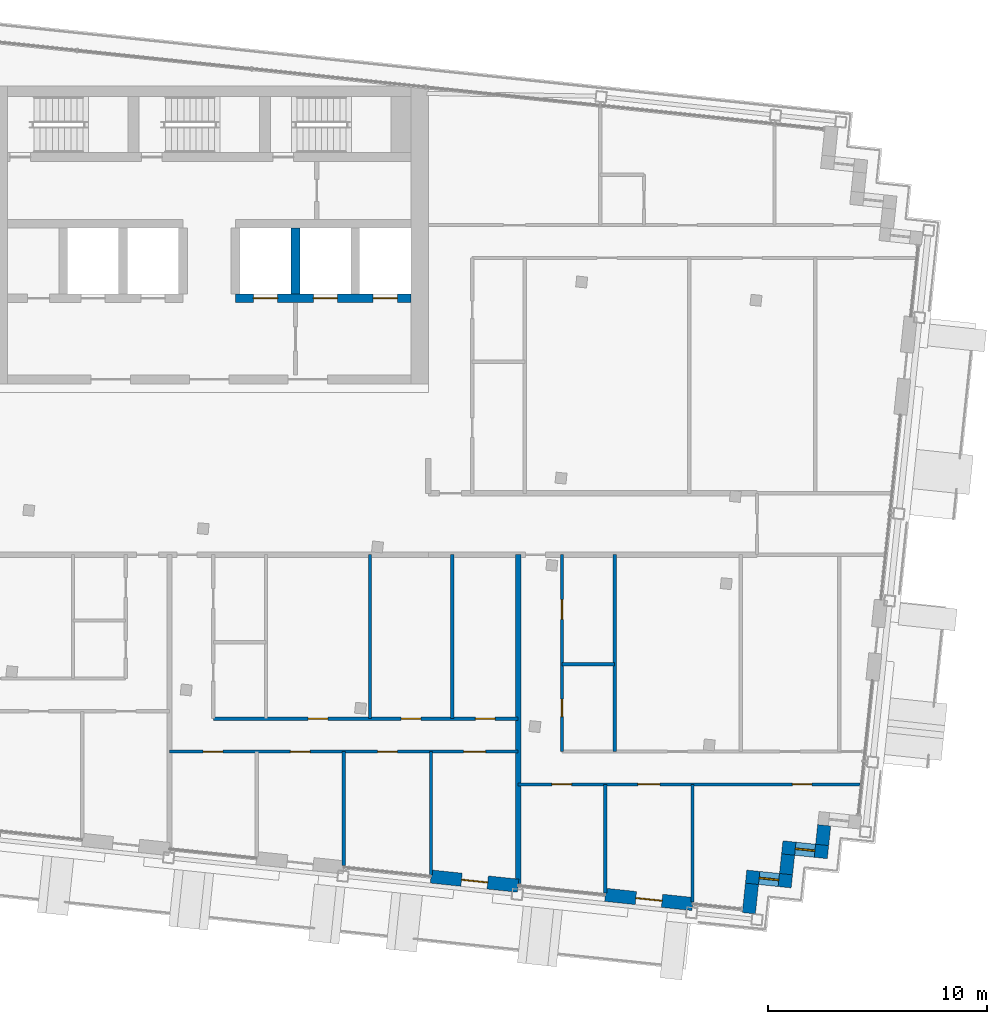
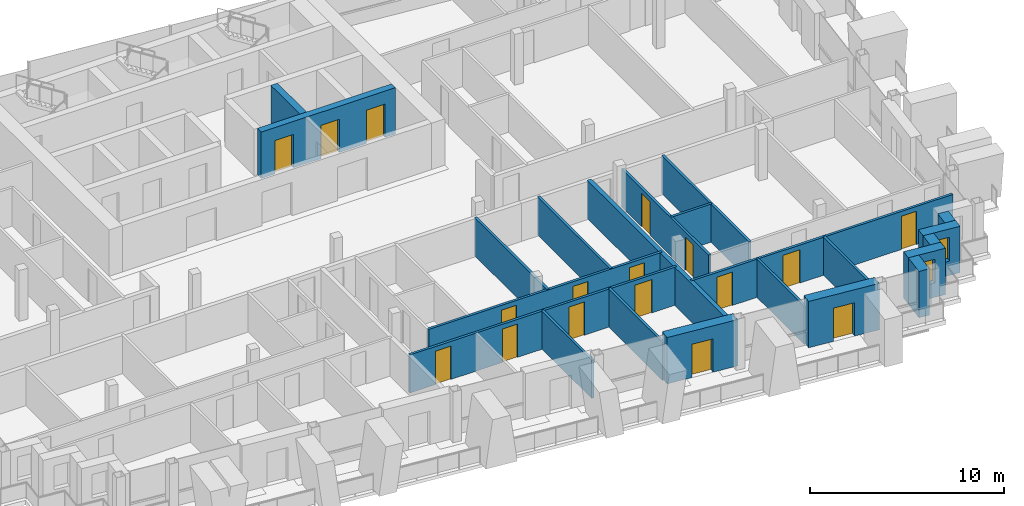
# One storey, part 10 of 17: 22 walls, 17 doors, 2 windows, 19 openings.
"""IFC4 building model written with IfcOpenShell, lengths in metres."""

from ifc_helpers import new_model, si_unit, direction, frame, frame_2d, origin, place, context, subcontext, project, spatial, rectangle, extrude, material, layer, layer_set, type_object, element, fill, save


model = new_model("IFC4")

# Units and contexts
model_context = context("Model", 3, precision=1e-05, world=origin(), true_north=direction((0.0, 1.0)))
body_context = subcontext(model_context, "Body", "Model", "MODEL_VIEW")
ifc_project = project(units=[si_unit("LENGTHUNIT", "METRE"), si_unit("AREAUNIT", "SQUARE_METRE"), si_unit("VOLUMEUNIT", "CUBIC_METRE"), si_unit("PLANEANGLEUNIT", "RADIAN"), si_unit("MASSUNIT", "GRAM", prefix="KILO")], contexts=[model_context])

# Site, building, storey
site_placement = place(None, origin())
site = spatial("IfcSite", under=ifc_project, at=site_placement, CompositionType="ELEMENT")
building_placement = place(site_placement, origin())
building = spatial("IfcBuilding", under=site, at=building_placement, Name="Vidyagriha Tower", CompositionType="ELEMENT")
storey_placement = place(building_placement, frame((0.0, 0.0, 265.89990234375)))
storey = spatial("IfcBuildingStorey", under=building, at=storey_placement, Name="L69", CompositionType="ELEMENT", Elevation=265.89990234375)

# Wall, opening, door
ifc_material_1 = material(Name="Precast concrete C40/50 with brick facing", Category="concrete")
ifc_layer_1 = layer(ifc_material_1, 0.60009765625)
ifc_layer_set_1 = layer_set([ifc_layer_1], Name="Precast concrete C40/50 with brick facing")
wall_type_1 = type_object("IfcWallType", Name="Brick-faced precast wall 600", PredefinedType="STANDARD", material=ifc_layer_set_1)
wall_1_placement = place(storey_placement, frame((10.1201171875, -16.085205078125, 0.0), z_axis=(0.0, 0.0, 1.0), x_axis=(0.994519156568, -0.104554517933, 0.0)))
wall_1 = element("IfcWall", 1, at=wall_1_placement, inside=storey, type_object=wall_type_1, Name="Brick door bay wall L69 R21.9", PredefinedType="STANDARD", context=body_context, shape_type="SweptSolid", body=[
    extrude(rectangle(XDim=4.0, YDim=0.60009765625, at=frame_2d((2.0, 0.0))), origin(), (0.0, 0.0, 1.0), 2.920166015625),
])
opening_1_placement = place(wall_1_placement, frame((1.39990234375, 0.0, 0.0)))
opening_1 = element("IfcOpeningElement", 2, at=opening_1_placement, cuts=wall_1, Name="Opening D69-62", PredefinedType="OPENING", context=body_context, shape_type="SweptSolid", body=[
    extrude(rectangle(XDim=1.199951171875, YDim=2.10009765625, at=frame_2d((0.60009765625, 1.050048828125))), frame((0.0, 0.31005859375, 0.0), z_axis=(0.0, -1.0, 0.0), x_axis=(1.0, 0.0, 0.0)), (0.0, 0.0, 1.0), 0.6201171875),
])
ifc_material_2 = material(Name="Aluminium framed glazed sliding door", Category="aluminium")
door_type_1 = type_object("IfcDoorType", Name="Balcony sliding door 1200x2100", OperationType="NOTDEFINED", PredefinedType="DOOR", material=ifc_material_2)
door_1_placement = place(opening_1_placement, origin())
door_1 = element("IfcDoor", 3, at=door_1_placement, inside=storey, type_object=door_type_1, Name="Door D69-62", OperationType="SLIDING_TO_LEFT", OverallHeight=2.10009765625, OverallWidth=1.199951171875, PredefinedType="DOOR", context=body_context, shape_type="SweptSolid", body=[
    extrude(rectangle(XDim=1.199951171875, YDim=2.10009765625, at=frame_2d((0.60009765625, 1.050048828125))), frame((0.0, 0.02490234375, 0.0), z_axis=(0.0, -1.0, 0.0), x_axis=(1.0, 0.0, 0.0)), (0.0, 0.0, 1.0), 0.050048828125),
])
fill(opening_1, door_1)

wall_2_placement = place(storey_placement, frame((18.076171875, -16.92138671875, 0.0), z_axis=(0.0, 0.0, 1.0), x_axis=(0.994519156568, -0.104554517933, 0.0)))
wall_2 = element("IfcWall", 4, at=wall_2_placement, inside=storey, type_object=wall_type_1, Name="Brick door bay wall L69 R21.11", PredefinedType="STANDARD", context=body_context, shape_type="SweptSolid", body=[
    extrude(rectangle(XDim=4.0, YDim=0.60009765625, at=frame_2d((2.0, 0.0))), origin(), (0.0, 0.0, 1.0), 2.920166015625),
])
opening_2_placement = place(wall_2_placement, frame((1.39990234375, 0.0, 0.0)))
opening_2 = element("IfcOpeningElement", 5, at=opening_2_placement, cuts=wall_2, Name="Opening D69-63", PredefinedType="OPENING", context=body_context, shape_type="SweptSolid", body=[
    extrude(rectangle(XDim=1.199951171875, YDim=2.10009765625, at=frame_2d((0.60009765625, 1.050048828125))), frame((0.0, 0.31005859375, 0.0), z_axis=(0.0, -1.0, 0.0), x_axis=(1.0, 0.0, 0.0)), (0.0, 0.0, 1.0), 0.6201171875),
])
door_2_placement = place(opening_2_placement, origin())
door_2 = element("IfcDoor", 6, at=door_2_placement, inside=storey, type_object=door_type_1, Name="Door D69-63", OperationType="SLIDING_TO_LEFT", OverallHeight=2.10009765625, OverallWidth=1.199951171875, PredefinedType="DOOR", context=body_context, shape_type="SweptSolid", body=[
    extrude(rectangle(XDim=1.199951171875, YDim=2.10009765625, at=frame_2d((0.60009765625, 1.050048828125))), frame((0.0, 0.02490234375, 0.0), z_axis=(0.0, -1.0, 0.0), x_axis=(1.0, 0.0, 0.0)), (0.0, 0.0, 1.0), 0.050048828125),
])
fill(opening_2, door_2)

# Wall
wall_3_placement = place(storey_placement, frame((24.62451171875, -17.760498046875, 0.0), z_axis=(0.0, 0.0, 1.0), x_axis=(0.104355269718, 0.994540083497, 0.0)))
element("IfcWall", 7, at=wall_3_placement, inside=storey, type_object=wall_type_1, Name="Stepped corner wall L69 R22", PredefinedType="STANDARD", context=body_context, shape_type="SweptSolid", body=[
    extrude(rectangle(XDim=1.349853515625, YDim=0.60009765625, at=frame_2d((0.6748046875, 0.0))), origin(), (0.0, 0.0, 1.0), 2.920166015625),
])

# Wall, opening, window
wall_4_placement = place(storey_placement, frame((24.49853515625, -16.088134765625, 0.0), z_axis=(0.0, 0.0, 1.0), x_axis=(0.994522640205, -0.104521376379, 0.0)))
wall_4 = element("IfcWall", 8, at=wall_4_placement, inside=storey, type_object=wall_type_1, Name="Stepped corner wall L69 R23", PredefinedType="STANDARD", context=body_context, shape_type="SweptSolid", body=[
    extrude(rectangle(XDim=2.099853515625, YDim=0.60009765625, at=frame_2d((1.0498046875, 0.0))), origin(), (0.0, 0.0, 1.0), 2.920166015625),
])
opening_3_placement = place(wall_4_placement, frame((0.60009765625, 0.0, 0.89990234375)))
opening_3 = element("IfcOpeningElement", 9, at=opening_3_placement, cuts=wall_4, Name="Opening WN1", PredefinedType="OPENING", context=body_context, shape_type="SweptSolid", body=[
    extrude(rectangle(XDim=0.89990234375, YDim=1.5, at=frame_2d((0.449951171875, 0.75))), frame((0.0, 0.31005859375, 0.0), z_axis=(0.0, -1.0, 0.0), x_axis=(1.0, 0.0, 0.0)), (0.0, 0.0, 1.0), 0.6201171875),
])
ifc_material_3 = material(Name="Aluminium and glass window", Category="aluminium")
window_type = type_object("IfcWindowType", Name="Reveal window 900x1500", PartitioningType="NOTDEFINED", PredefinedType="WINDOW", material=ifc_material_3)
window_1_placement = place(opening_3_placement, origin())
window_1 = element("IfcWindow", 10, at=window_1_placement, inside=storey, type_object=window_type, Name="Reveal window L69 R23", OverallHeight=1.5, OverallWidth=0.89990234375, PartitioningType="SINGLE_PANEL", PredefinedType="WINDOW", context=body_context, shape_type="SweptSolid", body=[
    extrude(rectangle(XDim=0.89990234375, YDim=1.5, at=frame_2d((0.449951171875, 0.75))), frame((0.0, 0.030029296875, 0.0), z_axis=(0.0, -1.0, 0.0), x_axis=(1.0, 0.0, 0.0)), (0.0, 0.0, 1.0), 0.06005859375),
])
fill(opening_3, window_1)

# Wall
wall_5_placement = place(storey_placement, frame((26.320068359375, -15.97802734375, 0.0), z_axis=(0.0, 0.0, 1.0), x_axis=(0.104444712852, 0.994530694326, 0.0)))
element("IfcWall", 11, at=wall_5_placement, inside=storey, type_object=wall_type_1, Name="Stepped corner wall L69 R24", PredefinedType="STANDARD", context=body_context, shape_type="SweptSolid", body=[
    extrude(rectangle(XDim=0.89990234375, YDim=0.60009765625, at=frame_2d((0.449951171875, 0.0))), origin(), (0.0, 0.0, 1.0), 2.920166015625),
])

# Wall, opening, window
wall_6_placement = place(storey_placement, frame((26.147216796875, -14.753173828125, 0.0), z_axis=(0.0, 0.0, 1.0), x_axis=(0.994522640205, -0.104521376379, 0.0)))
wall_6 = element("IfcWall", 12, at=wall_6_placement, inside=storey, type_object=wall_type_1, Name="Stepped corner wall L69 R25", PredefinedType="STANDARD", context=body_context, shape_type="SweptSolid", body=[
    extrude(rectangle(XDim=2.099853515625, YDim=0.60009765625, at=frame_2d((1.0498046875, 0.0))), origin(), (0.0, 0.0, 1.0), 2.920166015625),
])
opening_4_placement = place(wall_6_placement, frame((0.599853515625, 0.0, 0.89990234375)))
opening_4 = element("IfcOpeningElement", 13, at=opening_4_placement, cuts=wall_6, Name="Opening WN1", PredefinedType="OPENING", context=body_context, shape_type="SweptSolid", body=[
    extrude(rectangle(XDim=0.89990234375, YDim=1.5, at=frame_2d((0.449951171875, 0.75))), frame((0.0, 0.31005859375, 0.0), z_axis=(0.0, -1.0, 0.0), x_axis=(1.0, 0.0, 0.0)), (0.0, 0.0, 1.0), 0.6201171875),
])
window_2_placement = place(opening_4_placement, origin())
window_2 = element("IfcWindow", 14, at=window_2_placement, inside=storey, type_object=window_type, Name="Reveal window L69 R25", OverallHeight=1.5, OverallWidth=0.89990234375, PartitioningType="SINGLE_PANEL", PredefinedType="WINDOW", context=body_context, shape_type="SweptSolid", body=[
    extrude(rectangle(XDim=0.89990234375, YDim=1.5, at=frame_2d((0.449951171875, 0.75))), frame((0.0, 0.030029296875, 0.0), z_axis=(0.0, -1.0, 0.0), x_axis=(1.0, 0.0, 0.0)), (0.0, 0.0, 1.0), 0.06005859375),
])
fill(opening_4, window_2)

# Wall
wall_7_placement = place(storey_placement, frame((27.968505859375, -14.64306640625, 0.0), z_axis=(0.0, 0.0, 1.0), x_axis=(0.104416541099, 0.994533652495, 0.0)))
element("IfcWall", 15, at=wall_7_placement, inside=storey, type_object=wall_type_1, Name="Stepped corner wall L69 R26", PredefinedType="STANDARD", context=body_context, shape_type="SweptSolid", body=[
    extrude(rectangle(XDim=0.900146484375, YDim=0.60009765625, at=frame_2d((0.4501953125, 0.0))), origin(), (0.0, 0.0, 1.0), 2.920166015625),
])

# Wall, openings, doors
ifc_material_4 = material(Name="Concrete C60/75", Category="concrete")
ifc_layer_2 = layer(ifc_material_4, 0.39990234375)
ifc_layer_set_2 = layer_set([ifc_layer_2], Name="Concrete C60/75")
wall_type_2 = type_object("IfcWallType", Name="Core shear wall 400 mm", PredefinedType="SHEAR", material=ifc_layer_set_2)
wall_8_placement = place(storey_placement, frame((1.199951171875, 10.300048828125, 0.0)))
wall_8 = element("IfcWall", 16, at=wall_8_placement, inside=storey, type_object=wall_type_2, Name="Core row N front wall", PredefinedType="SHEAR", context=body_context, shape_type="SweptSolid", body=[
    extrude(rectangle(XDim=8.0, YDim=0.39990234375, at=frame_2d((4.0, 0.0))), origin(), (0.0, 0.0, 1.0), 2.920166015625),
])
opening_5_placement = place(wall_8_placement, frame((0.816650390625, 0.0, 0.0)))
opening_5 = element("IfcOpeningElement", 17, at=opening_5_placement, cuts=wall_8, Name="Opening LD69-03", PredefinedType="OPENING", context=body_context, shape_type="SweptSolid", body=[
    extrude(rectangle(XDim=1.10009765625, YDim=2.10009765625, at=frame_2d((0.550048828125, 1.050048828125))), frame((0.0, 0.2099609375, 0.0), z_axis=(0.0, -1.0, 0.0), x_axis=(1.0, 0.0, 0.0)), (0.0, 0.0, 1.0), 0.419921875),
])
opening_6_placement = place(wall_8_placement, frame((3.550048828125, 0.0, 0.0)))
opening_6 = element("IfcOpeningElement", 18, at=opening_6_placement, cuts=wall_8, Name="Opening LD69-04", PredefinedType="OPENING", context=body_context, shape_type="SweptSolid", body=[
    extrude(rectangle(XDim=1.10009765625, YDim=2.10009765625, at=frame_2d((0.550048828125, 1.050048828125))), frame((0.0, 0.2099609375, 0.0), z_axis=(0.0, -1.0, 0.0), x_axis=(1.0, 0.0, 0.0)), (0.0, 0.0, 1.0), 0.419921875),
])
opening_7_placement = place(wall_8_placement, frame((6.283203125, 0.0, 0.0)))
opening_7 = element("IfcOpeningElement", 19, at=opening_7_placement, cuts=wall_8, Name="Opening LD69-05", PredefinedType="OPENING", context=body_context, shape_type="SweptSolid", body=[
    extrude(rectangle(XDim=1.10009765625, YDim=2.10009765625, at=frame_2d((0.550048828125, 1.050048828125))), frame((0.0, 0.2099609375, 0.0), z_axis=(0.0, -1.0, 0.0), x_axis=(1.0, 0.0, 0.0)), (0.0, 0.0, 1.0), 0.419921875),
])
ifc_material_5 = material(Name="Stainless steel sliding door panel", Category="steel")
door_type_2 = type_object("IfcDoorType", Name="Lift landing door 1100 x 2100 mm EI 90", OperationType="NOTDEFINED", PredefinedType="DOOR", material=ifc_material_5)
door_3_placement = place(opening_5_placement, origin())
door_3 = element("IfcDoor", 20, at=door_3_placement, inside=storey, type_object=door_type_2, Name="Landing door HR3 L69", OperationType="SLIDING_TO_LEFT", OverallHeight=2.10009765625, OverallWidth=1.10009765625, PredefinedType="DOOR", context=body_context, shape_type="SweptSolid", body=[
    extrude(rectangle(XDim=1.10009765625, YDim=2.10009765625, at=frame_2d((0.550048828125, 1.050048828125))), frame((0.0, 0.02490234375, 0.0), z_axis=(0.0, -1.0, 0.0), x_axis=(1.0, 0.0, 0.0)), (0.0, 0.0, 1.0), 0.050048828125),
])
fill(opening_5, door_3)
door_4_placement = place(opening_6_placement, origin())
door_4 = element("IfcDoor", 21, at=door_4_placement, inside=storey, type_object=door_type_2, Name="Landing door FF1 L69", OperationType="SLIDING_TO_LEFT", OverallHeight=2.10009765625, OverallWidth=1.10009765625, PredefinedType="DOOR", context=body_context, shape_type="SweptSolid", body=[
    extrude(rectangle(XDim=1.10009765625, YDim=2.10009765625, at=frame_2d((0.550048828125, 1.050048828125))), frame((0.0, 0.02490234375, 0.0), z_axis=(0.0, -1.0, 0.0), x_axis=(1.0, 0.0, 0.0)), (0.0, 0.0, 1.0), 0.050048828125),
])
fill(opening_6, door_4)
door_5_placement = place(opening_7_placement, origin())
door_5 = element("IfcDoor", 22, at=door_5_placement, inside=storey, type_object=door_type_2, Name="Landing door FF2 L69", OperationType="SLIDING_TO_LEFT", OverallHeight=2.10009765625, OverallWidth=1.10009765625, PredefinedType="DOOR", context=body_context, shape_type="SweptSolid", body=[
    extrude(rectangle(XDim=1.10009765625, YDim=2.10009765625, at=frame_2d((0.550048828125, 1.050048828125))), frame((0.0, 0.02490234375, 0.0), z_axis=(0.0, -1.0, 0.0), x_axis=(1.0, 0.0, 0.0)), (0.0, 0.0, 1.0), 0.050048828125),
])
fill(opening_7, door_5)

# Walls
wall_9_placement = place(storey_placement, frame((3.933349609375, 10.5, 0.0), z_axis=(0.0, 0.0, 1.0), x_axis=(0.0, 1.0, 0.0)))
element("IfcWall", 23, at=wall_9_placement, inside=storey, type_object=wall_type_2, Name="Core bay wall N5", PredefinedType="SHEAR", context=body_context, shape_type="SweptSolid", body=[
    extrude(rectangle(XDim=3.0, YDim=0.39990234375, at=frame_2d((1.5, 0.0))), origin(), (0.0, 0.0, 1.0), 2.920166015625),
])
ifc_material_6 = material(Name="Fired clay brick masonry", Category="masonry")
ifc_layer_3 = layer(ifc_material_6, 0.25)
ifc_layer_set_3 = layer_set([ifc_layer_3], Name="Fired clay brick masonry")
wall_type_3 = type_object("IfcWallType", Name="Fired clay brick demising wall 250", PredefinedType="PARTITIONING", material=ifc_layer_set_3)
wall_10_placement = place(storey_placement, frame((14.097900390625, -1.39990234375, 0.0), z_axis=(0.0, 0.0, 1.0), x_axis=(0.0, -1.0, 0.0)))
element("IfcWall", 24, at=wall_10_placement, inside=storey, type_object=wall_type_3, Name="Wall all-L69-w060", PredefinedType="PARTITIONING", context=body_context, shape_type="SweptSolid", body=[
    extrude(rectangle(XDim=15.012939453125, YDim=0.25, at=frame_2d((7.50634765625, 0.0))), origin(), (0.0, 0.0, 1.0), 2.400146484375),
])
ifc_material_7 = material(Name="Gypsum board partition")
ifc_layer_4 = layer(ifc_material_7, 0.14990234375)
ifc_layer_set_4 = layer_set([ifc_layer_4], Name="Gypsum board partition")
wall_type_4 = type_object("IfcWallType", Name="Gypsum board partition 150", PredefinedType="PARTITIONING", material=ifc_layer_set_4)
for number, where, z_axis, x_axis, name in (
    (25, (7.3359375, -1.39990234375, 0.0), (0.0, 0.0, 1.0), (0.0, -1.0, 0.0), "Wall all-L69-w026"),
    (26, (11.0859375, -1.39990234375, 0.0), (0.0, 0.0, 1.0), (0.0, -1.0, 0.0), "Wall all-L69-w027"),
):
    element("IfcWall", number, at=place(storey_placement, frame(where, z_axis=z_axis, x_axis=x_axis)), inside=storey, type_object=wall_type_4, Name=name, PredefinedType="PARTITIONING", context=body_context, shape_type="SweptSolid", body=[
        extrude(rectangle(XDim=7.483642578125, YDim=0.14990234375, at=frame_2d((3.74169921875, 0.0))), origin(), (0.0, 0.0, 1.0), 2.400146484375),
    ])

# Wall, openings, doors
wall_11_placement = place(storey_placement, frame((0.18603515625, -8.883544921875, 0.0)))
wall_11 = element("IfcWall", 27, at=wall_11_placement, inside=storey, type_object=wall_type_4, Name="Wall all-L69-w028", PredefinedType="PARTITIONING", context=body_context, shape_type="SweptSolid", body=[
    extrude(rectangle(XDim=13.911865234375, YDim=0.14990234375, at=frame_2d((6.9560546875, 0.0))), origin(), (0.0, 0.0, 1.0), 2.400146484375),
])
opening_8_placement = place(wall_11_placement, frame((4.324951171875, 0.0, 0.0)))
opening_8 = element("IfcOpeningElement", 28, at=opening_8_placement, cuts=wall_11, Name="Opening D69-22", PredefinedType="OPENING", context=body_context, shape_type="SweptSolid", body=[
    extrude(rectangle(XDim=0.89990234375, YDim=2.10009765625, at=frame_2d((0.449951171875, 1.050048828125))), frame((0.0, 0.0849609375, 0.0), z_axis=(0.0, -1.0, 0.0), x_axis=(1.0, 0.0, 0.0)), (0.0, 0.0, 1.0), 0.169921875),
])
opening_9_placement = place(wall_11_placement, frame((8.574951171875, 0.0, 0.0)))
opening_9 = element("IfcOpeningElement", 29, at=opening_9_placement, cuts=wall_11, Name="Opening D69-23", PredefinedType="OPENING", context=body_context, shape_type="SweptSolid", body=[
    extrude(rectangle(XDim=0.89990234375, YDim=2.10009765625, at=frame_2d((0.449951171875, 1.050048828125))), frame((0.0, 0.0849609375, 0.0), z_axis=(0.0, -1.0, 0.0), x_axis=(1.0, 0.0, 0.0)), (0.0, 0.0, 1.0), 0.169921875),
])
opening_10_placement = place(wall_11_placement, frame((11.9560546875, 0.0, 0.0)))
opening_10 = element("IfcOpeningElement", 30, at=opening_10_placement, cuts=wall_11, Name="Opening D69-24", PredefinedType="OPENING", context=body_context, shape_type="SweptSolid", body=[
    extrude(rectangle(XDim=0.89990234375, YDim=2.10009765625, at=frame_2d((0.449951171875, 1.050048828125))), frame((0.0, 0.0849609375, 0.0), z_axis=(0.0, -1.0, 0.0), x_axis=(1.0, 0.0, 0.0)), (0.0, 0.0, 1.0), 0.169921875),
])
ifc_material_8 = material(Name="Timber door leaf", Category="wood")
door_type_3 = type_object("IfcDoorType", Name="Room door 900x2100", OperationType="NOTDEFINED", PredefinedType="DOOR", material=ifc_material_8)
door_6_placement = place(opening_8_placement, origin())
door_6 = element("IfcDoor", 31, at=door_6_placement, inside=storey, type_object=door_type_3, Name="Door D69-22", OperationType="SINGLE_SWING_RIGHT", OverallHeight=2.10009765625, OverallWidth=0.89990234375, PredefinedType="DOOR", context=body_context, shape_type="SweptSolid", body=[
    extrude(rectangle(XDim=0.89990234375, YDim=2.10009765625, at=frame_2d((0.449951171875, 1.050048828125))), frame((0.0, 0.02490234375, 0.0), z_axis=(0.0, -1.0, 0.0), x_axis=(1.0, 0.0, 0.0)), (0.0, 0.0, 1.0), 0.050048828125),
])
fill(opening_8, door_6)
door_7_placement = place(opening_9_placement, origin())
door_7 = element("IfcDoor", 32, at=door_7_placement, inside=storey, type_object=door_type_3, Name="Door D69-23", OperationType="SINGLE_SWING_RIGHT", OverallHeight=2.10009765625, OverallWidth=0.89990234375, PredefinedType="DOOR", context=body_context, shape_type="SweptSolid", body=[
    extrude(rectangle(XDim=0.89990234375, YDim=2.10009765625, at=frame_2d((0.449951171875, 1.050048828125))), frame((0.0, 0.02490234375, 0.0), z_axis=(0.0, -1.0, 0.0), x_axis=(1.0, 0.0, 0.0)), (0.0, 0.0, 1.0), 0.050048828125),
])
fill(opening_9, door_7)
door_8_placement = place(opening_10_placement, origin())
door_8 = element("IfcDoor", 33, at=door_8_placement, inside=storey, type_object=door_type_3, Name="Door D69-24", OperationType="SINGLE_SWING_RIGHT", OverallHeight=2.10009765625, OverallWidth=0.89990234375, PredefinedType="DOOR", context=body_context, shape_type="SweptSolid", body=[
    extrude(rectangle(XDim=0.89990234375, YDim=2.10009765625, at=frame_2d((0.449951171875, 1.050048828125))), frame((0.0, 0.02490234375, 0.0), z_axis=(0.0, -1.0, 0.0), x_axis=(1.0, 0.0, 0.0)), (0.0, 0.0, 1.0), 0.050048828125),
])
fill(opening_10, door_8)

wall_12_placement = place(storey_placement, frame((14.097900390625, -10.383544921875, 0.0), z_axis=(0.0, 0.0, 1.0), x_axis=(-1.0, 0.0, 0.0)))
wall_12 = element("IfcWall", 34, at=wall_12_placement, inside=storey, type_object=wall_type_4, Name="Wall all-L69-w032", PredefinedType="PARTITIONING", context=body_context, shape_type="SweptSolid", body=[
    extrude(rectangle(XDim=15.911865234375, YDim=0.14990234375, at=frame_2d((7.9560546875, 0.0))), origin(), (0.0, 0.0, 1.0), 2.400146484375),
])
opening_11_placement = place(wall_12_placement, frame((13.47314453125, 0.0, 0.0)))
opening_11 = element("IfcOpeningElement", 35, at=opening_11_placement, cuts=wall_12, Name="Opening D69-25", PredefinedType="OPENING", context=body_context, shape_type="SweptSolid", body=[
    extrude(rectangle(XDim=0.89990234375, YDim=2.10009765625, at=frame_2d((0.449951171875, 1.050048828125))), frame((0.0, 0.0849609375, 0.0), z_axis=(0.0, -1.0, 0.0), x_axis=(1.0, 0.0, 0.0)), (0.0, 0.0, 1.0), 0.169921875),
])
opening_12_placement = place(wall_12_placement, frame((9.4951171875, 0.0, 0.0)))
opening_12 = element("IfcOpeningElement", 36, at=opening_12_placement, cuts=wall_12, Name="Opening D69-26", PredefinedType="OPENING", context=body_context, shape_type="SweptSolid", body=[
    extrude(rectangle(XDim=0.89990234375, YDim=2.10009765625, at=frame_2d((0.449951171875, 1.050048828125))), frame((0.0, 0.0849609375, 0.0), z_axis=(0.0, -1.0, 0.0), x_axis=(1.0, 0.0, 0.0)), (0.0, 0.0, 1.0), 0.169921875),
])
opening_13_placement = place(wall_12_placement, frame((5.51708984375, 0.0, 0.0)))
opening_13 = element("IfcOpeningElement", 37, at=opening_13_placement, cuts=wall_12, Name="Opening D69-27", PredefinedType="OPENING", context=body_context, shape_type="SweptSolid", body=[
    extrude(rectangle(XDim=0.89990234375, YDim=2.10009765625, at=frame_2d((0.449951171875, 1.050048828125))), frame((0.0, 0.0849609375, 0.0), z_axis=(0.0, -1.0, 0.0), x_axis=(1.0, 0.0, 0.0)), (0.0, 0.0, 1.0), 0.169921875),
])
opening_14_placement = place(wall_12_placement, frame((1.489013671875, 0.0, 0.0)))
opening_14 = element("IfcOpeningElement", 38, at=opening_14_placement, cuts=wall_12, Name="Opening D69-28", PredefinedType="OPENING", context=body_context, shape_type="SweptSolid", body=[
    extrude(rectangle(XDim=1.0, YDim=2.10009765625, at=frame_2d((0.5, 1.050048828125))), frame((0.0, 0.0849609375, 0.0), z_axis=(0.0, -1.0, 0.0), x_axis=(1.0, 0.0, 0.0)), (0.0, 0.0, 1.0), 0.169921875),
])
ifc_material_9 = material(Name="Timber door leaf", Category="wood")
door_type_4 = type_object("IfcDoorType", Name="Room door 1000x2100", OperationType="NOTDEFINED", PredefinedType="DOOR", material=ifc_material_9)
door_9_placement = place(opening_14_placement, origin())
door_9 = element("IfcDoor", 39, at=door_9_placement, inside=storey, type_object=door_type_4, Name="Door D69-28", OperationType="SINGLE_SWING_RIGHT", OverallHeight=2.10009765625, OverallWidth=1.0, PredefinedType="DOOR", context=body_context, shape_type="SweptSolid", body=[
    extrude(rectangle(XDim=1.0, YDim=2.10009765625, at=frame_2d((0.5, 1.050048828125))), frame((0.0, 0.02490234375, 0.0), z_axis=(0.0, -1.0, 0.0), x_axis=(1.0, 0.0, 0.0)), (0.0, 0.0, 1.0), 0.050048828125),
])
fill(opening_14, door_9)
door_10_placement = place(opening_11_placement, origin())
door_10 = element("IfcDoor", 40, at=door_10_placement, inside=storey, type_object=door_type_3, Name="Door D69-25", OperationType="SINGLE_SWING_RIGHT", OverallHeight=2.10009765625, OverallWidth=0.89990234375, PredefinedType="DOOR", context=body_context, shape_type="SweptSolid", body=[
    extrude(rectangle(XDim=0.89990234375, YDim=2.10009765625, at=frame_2d((0.449951171875, 1.050048828125))), frame((0.0, 0.02490234375, 0.0), z_axis=(0.0, -1.0, 0.0), x_axis=(1.0, 0.0, 0.0)), (0.0, 0.0, 1.0), 0.050048828125),
])
fill(opening_11, door_10)
door_11_placement = place(opening_12_placement, origin())
door_11 = element("IfcDoor", 41, at=door_11_placement, inside=storey, type_object=door_type_3, Name="Door D69-26", OperationType="SINGLE_SWING_LEFT", OverallHeight=2.10009765625, OverallWidth=0.89990234375, PredefinedType="DOOR", context=body_context, shape_type="SweptSolid", body=[
    extrude(rectangle(XDim=0.89990234375, YDim=2.10009765625, at=frame_2d((0.449951171875, 1.050048828125))), frame((0.0, 0.02490234375, 0.0), z_axis=(0.0, -1.0, 0.0), x_axis=(1.0, 0.0, 0.0)), (0.0, 0.0, 1.0), 0.050048828125),
])
fill(opening_12, door_11)
door_12_placement = place(opening_13_placement, origin())
door_12 = element("IfcDoor", 42, at=door_12_placement, inside=storey, type_object=door_type_3, Name="Door D69-27", OperationType="SINGLE_SWING_LEFT", OverallHeight=2.10009765625, OverallWidth=0.89990234375, PredefinedType="DOOR", context=body_context, shape_type="SweptSolid", body=[
    extrude(rectangle(XDim=0.89990234375, YDim=2.10009765625, at=frame_2d((0.449951171875, 1.050048828125))), frame((0.0, 0.02490234375, 0.0), z_axis=(0.0, -1.0, 0.0), x_axis=(1.0, 0.0, 0.0)), (0.0, 0.0, 1.0), 0.050048828125),
])
fill(opening_13, door_12)

# Walls
wall_13_placement = place(storey_placement, frame((6.141845703125, -10.383544921875, 0.0), z_axis=(0.0, 0.0, 1.0), x_axis=(0.0, -1.0, 0.0)))
element("IfcWall", 43, at=wall_13_placement, inside=storey, type_object=wall_type_4, Name="Wall all-L69-w038", PredefinedType="PARTITIONING", context=body_context, shape_type="SweptSolid", body=[
    extrude(rectangle(XDim=5.193115234375, YDim=0.14990234375, at=frame_2d((2.5966796875, 0.0))), origin(), (0.0, 0.0, 1.0), 2.400146484375),
])
wall_14_placement = place(storey_placement, frame((10.1201171875, -10.383544921875, 0.0), z_axis=(0.0, 0.0, 1.0), x_axis=(0.0, -1.0, 0.0)))
element("IfcWall", 44, at=wall_14_placement, inside=storey, type_object=wall_type_4, Name="Wall all-L69-w039", PredefinedType="PARTITIONING", context=body_context, shape_type="SweptSolid", body=[
    extrude(rectangle(XDim=5.6220703125, YDim=0.14990234375, at=frame_2d((2.81103515625, 0.0))), origin(), (0.0, 0.0, 1.0), 2.400146484375),
])
wall_15_placement = place(storey_placement, frame((18.498046875, -6.39990234375, 0.0), z_axis=(0.0, 0.0, 1.0), x_axis=(-1.0, 0.0, 0.0)))
element("IfcWall", 45, at=wall_15_placement, inside=storey, type_object=wall_type_4, Name="Wall all-L69-w045", PredefinedType="PARTITIONING", context=body_context, shape_type="SweptSolid", body=[
    extrude(rectangle(XDim=2.400146484375, YDim=0.14990234375, at=frame_2d((1.2001953125, 0.0))), origin(), (0.0, 0.0, 1.0), 2.400146484375),
])
wall_16_placement = place(storey_placement, frame((18.498046875, -1.39990234375, 0.0), z_axis=(0.0, 0.0, 1.0), x_axis=(0.0, -1.0, 0.0)))
element("IfcWall", 46, at=wall_16_placement, inside=storey, type_object=wall_type_4, Name="Wall all-L69-w046", PredefinedType="PARTITIONING", context=body_context, shape_type="SweptSolid", body=[
    extrude(rectangle(XDim=8.981689453125, YDim=0.14990234375, at=frame_2d((4.49072265625, 0.0))), origin(), (0.0, 0.0, 1.0), 2.400146484375),
])

# Wall, openings, doors
wall_17_placement = place(storey_placement, frame((29.6875, -11.881591796875, 0.0), z_axis=(0.0, 0.0, 1.0), x_axis=(-1.0, 0.0, 0.0)))
wall_17 = element("IfcWall", 47, at=wall_17_placement, inside=storey, type_object=wall_type_4, Name="Wall all-L69-w053", PredefinedType="PARTITIONING", context=body_context, shape_type="SweptSolid", body=[
    extrude(rectangle(XDim=15.589599609375, YDim=0.14990234375, at=frame_2d((7.794921875, 0.0))), origin(), (0.0, 0.0, 1.0), 2.400146484375),
])
opening_15_placement = place(wall_17_placement, frame((13.150390625, 0.0, 0.0)))
opening_15 = element("IfcOpeningElement", 48, at=opening_15_placement, cuts=wall_17, Name="Opening D69-35", PredefinedType="OPENING", context=body_context, shape_type="SweptSolid", body=[
    extrude(rectangle(XDim=0.89990234375, YDim=2.10009765625, at=frame_2d((0.449951171875, 1.050048828125))), frame((0.0, 0.0849609375, 0.0), z_axis=(0.0, -1.0, 0.0), x_axis=(1.0, 0.0, 0.0)), (0.0, 0.0, 1.0), 0.169921875),
])
opening_16_placement = place(wall_17_placement, frame((9.122314453125, 0.0, 0.0)))
opening_16 = element("IfcOpeningElement", 49, at=opening_16_placement, cuts=wall_17, Name="Opening D69-36", PredefinedType="OPENING", context=body_context, shape_type="SweptSolid", body=[
    extrude(rectangle(XDim=1.0, YDim=2.10009765625, at=frame_2d((0.5, 1.050048828125))), frame((0.0, 0.0849609375, 0.0), z_axis=(0.0, -1.0, 0.0), x_axis=(1.0, 0.0, 0.0)), (0.0, 0.0, 1.0), 0.169921875),
])
opening_17_placement = place(wall_17_placement, frame((2.181884765625, 0.0, 0.0)))
opening_17 = element("IfcOpeningElement", 50, at=opening_17_placement, cuts=wall_17, Name="Opening D69-37", PredefinedType="OPENING", context=body_context, shape_type="SweptSolid", body=[
    extrude(rectangle(XDim=0.89990234375, YDim=2.10009765625, at=frame_2d((0.449951171875, 1.050048828125))), frame((0.0, 0.0849609375, 0.0), z_axis=(0.0, -1.0, 0.0), x_axis=(1.0, 0.0, 0.0)), (0.0, 0.0, 1.0), 0.169921875),
])
door_13_placement = place(opening_16_placement, origin())
door_13 = element("IfcDoor", 51, at=door_13_placement, inside=storey, type_object=door_type_4, Name="Door D69-36", OperationType="SINGLE_SWING_RIGHT", OverallHeight=2.10009765625, OverallWidth=1.0, PredefinedType="DOOR", context=body_context, shape_type="SweptSolid", body=[
    extrude(rectangle(XDim=1.0, YDim=2.10009765625, at=frame_2d((0.5, 1.050048828125))), frame((0.0, 0.02490234375, 0.0), z_axis=(0.0, -1.0, 0.0), x_axis=(1.0, 0.0, 0.0)), (0.0, 0.0, 1.0), 0.050048828125),
])
fill(opening_16, door_13)
door_14_placement = place(opening_15_placement, origin())
door_14 = element("IfcDoor", 52, at=door_14_placement, inside=storey, type_object=door_type_3, Name="Door D69-35", OperationType="SINGLE_SWING_RIGHT", OverallHeight=2.10009765625, OverallWidth=0.89990234375, PredefinedType="DOOR", context=body_context, shape_type="SweptSolid", body=[
    extrude(rectangle(XDim=0.89990234375, YDim=2.10009765625, at=frame_2d((0.449951171875, 1.050048828125))), frame((0.0, 0.02490234375, 0.0), z_axis=(0.0, -1.0, 0.0), x_axis=(1.0, 0.0, 0.0)), (0.0, 0.0, 1.0), 0.050048828125),
])
fill(opening_15, door_14)
door_15_placement = place(opening_17_placement, origin())
door_15 = element("IfcDoor", 53, at=door_15_placement, inside=storey, type_object=door_type_3, Name="Door D69-37", OperationType="SINGLE_SWING_LEFT", OverallHeight=2.10009765625, OverallWidth=0.89990234375, PredefinedType="DOOR", context=body_context, shape_type="SweptSolid", body=[
    extrude(rectangle(XDim=0.89990234375, YDim=2.10009765625, at=frame_2d((0.449951171875, 1.050048828125))), frame((0.0, 0.02490234375, 0.0), z_axis=(0.0, -1.0, 0.0), x_axis=(1.0, 0.0, 0.0)), (0.0, 0.0, 1.0), 0.050048828125),
])
fill(opening_17, door_15)

# Walls
wall_18_placement = place(storey_placement, frame((18.076171875, -11.881591796875, 0.0), z_axis=(0.0, 0.0, 1.0), x_axis=(0.0, -1.0, 0.0)))
element("IfcWall", 54, at=wall_18_placement, inside=storey, type_object=wall_type_4, Name="Wall all-L69-w057", PredefinedType="PARTITIONING", context=body_context, shape_type="SweptSolid", body=[
    extrude(rectangle(XDim=4.96044921875, YDim=0.14990234375, at=frame_2d((2.480224609375, 0.0))), origin(), (0.0, 0.0, 1.0), 2.400146484375),
])
wall_19_placement = place(storey_placement, frame((22.05419921875, -11.881591796875, 0.0), z_axis=(0.0, 0.0, 1.0), x_axis=(0.0, -1.0, 0.0)))
element("IfcWall", 55, at=wall_19_placement, inside=storey, type_object=wall_type_4, Name="Wall all-L69-w058", PredefinedType="PARTITIONING", context=body_context, shape_type="SweptSolid", body=[
    extrude(rectangle(XDim=5.367431640625, YDim=0.14990234375, at=frame_2d((2.68359375, 0.0))), origin(), (0.0, 0.0, 1.0), 2.400146484375),
])

# Wall, openings, doors
ifc_material_10 = material(Name="Moisture resistant gypsum board partition")
ifc_layer_5 = layer(ifc_material_10, 0.14990234375)
ifc_layer_set_5 = layer_set([ifc_layer_5], Name="Moisture resistant gypsum board partition")
wall_type_5 = type_object("IfcWallType", Name="Gypsum board wet-area partition 150", PredefinedType="PARTITIONING", material=ifc_layer_set_5)
wall_20_placement = place(storey_placement, frame((16.097900390625, -1.39990234375, 0.0), z_axis=(0.0, 0.0, 1.0), x_axis=(0.0, -1.0, 0.0)))
wall_20 = element("IfcWall", 56, at=wall_20_placement, inside=storey, type_object=wall_type_5, Name="Wall all-L69-w042", PredefinedType="PARTITIONING", context=body_context, shape_type="SweptSolid", body=[
    extrude(rectangle(XDim=8.981689453125, YDim=0.14990234375, at=frame_2d((4.49072265625, 0.0))), origin(), (0.0, 0.0, 1.0), 2.400146484375),
])
opening_18_placement = place(wall_20_placement, frame((2.050048828125, 0.0, 0.0)))
opening_18 = element("IfcOpeningElement", 57, at=opening_18_placement, cuts=wall_20, Name="Opening D69-30", PredefinedType="OPENING", context=body_context, shape_type="SweptSolid", body=[
    extrude(rectangle(XDim=0.89990234375, YDim=2.10009765625, at=frame_2d((0.449951171875, 1.050048828125))), frame((0.0, 0.0849609375, 0.0), z_axis=(0.0, -1.0, 0.0), x_axis=(1.0, 0.0, 0.0)), (0.0, 0.0, 1.0), 0.169921875),
])
opening_19_placement = place(wall_20_placement, frame((6.5908203125, 0.0, 0.0)))
opening_19 = element("IfcOpeningElement", 58, at=opening_19_placement, cuts=wall_20, Name="Opening D69-31", PredefinedType="OPENING", context=body_context, shape_type="SweptSolid", body=[
    extrude(rectangle(XDim=0.800048828125, YDim=2.10009765625, at=frame_2d((0.39990234375, 1.050048828125))), frame((0.0, 0.0849609375, 0.0), z_axis=(0.0, -1.0, 0.0), x_axis=(1.0, 0.0, 0.0)), (0.0, 0.0, 1.0), 0.169921875),
])
ifc_material_11 = material(Name="Timber door leaf", Category="wood")
door_type_5 = type_object("IfcDoorType", Name="Bathroom door 800x2100", OperationType="NOTDEFINED", PredefinedType="DOOR", material=ifc_material_11)
door_16_placement = place(opening_19_placement, origin())
door_16 = element("IfcDoor", 59, at=door_16_placement, inside=storey, type_object=door_type_5, Name="Door D69-31", OperationType="SINGLE_SWING_RIGHT", OverallHeight=2.10009765625, OverallWidth=0.800048828125, PredefinedType="DOOR", context=body_context, shape_type="SweptSolid", body=[
    extrude(rectangle(XDim=0.800048828125, YDim=2.10009765625, at=frame_2d((0.39990234375, 1.050048828125))), frame((0.0, 0.02490234375, 0.0), z_axis=(0.0, -1.0, 0.0), x_axis=(1.0, 0.0, 0.0)), (0.0, 0.0, 1.0), 0.050048828125),
])
fill(opening_19, door_16)
ifc_material_12 = material(Name="Timber door leaf", Category="wood")
door_type_6 = type_object("IfcDoorType", Name="Kitchen door 900x2100", OperationType="NOTDEFINED", PredefinedType="DOOR", material=ifc_material_12)
door_17_placement = place(opening_18_placement, origin())
door_17 = element("IfcDoor", 60, at=door_17_placement, inside=storey, type_object=door_type_6, Name="Door D69-30", OperationType="SINGLE_SWING_LEFT", OverallHeight=2.10009765625, OverallWidth=0.89990234375, PredefinedType="DOOR", context=body_context, shape_type="SweptSolid", body=[
    extrude(rectangle(XDim=0.89990234375, YDim=2.10009765625, at=frame_2d((0.449951171875, 1.050048828125))), frame((0.0, 0.02490234375, 0.0), z_axis=(0.0, -1.0, 0.0), x_axis=(1.0, 0.0, 0.0)), (0.0, 0.0, 1.0), 0.050048828125),
])
fill(opening_18, door_17)

save(model, "model.ifc")
